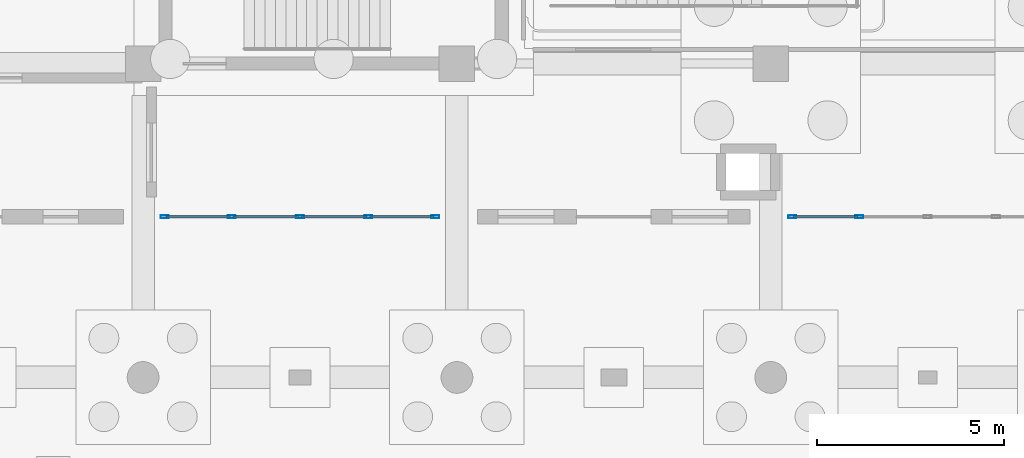
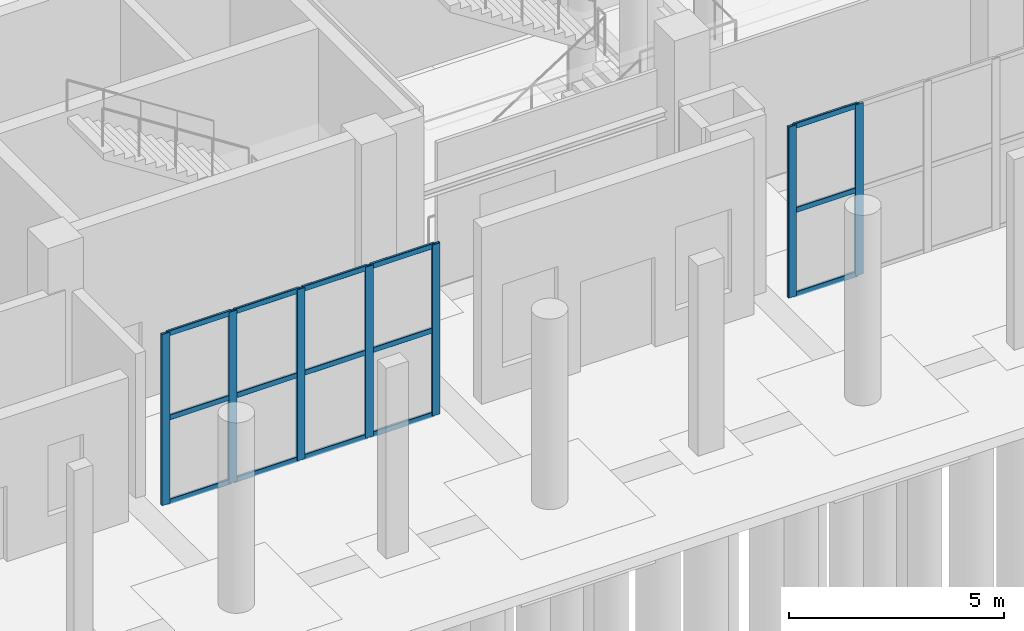
# One storey, part 10 of 65: 22 members, 2 elements without a shape of their own.
"""IFC4 building model written with IfcOpenShell, lengths in metres."""

from ifc_helpers import new_model, si_unit, direction, frame, origin, origin_2d, place, context, subcontext, project, spatial, hollow_rectangle, extrude, material, layer, layer_set, material_profile, profile_set, type_object, element, aggregate, save


model = new_model("IFC4")

# Units and contexts
model_context = context("Model", 3, precision=1e-05, world=origin(), true_north=direction((0.0, 1.0)))
body_context = subcontext(model_context, "Body", "Model", "MODEL_VIEW")
ifc_project = project(units=[si_unit("LENGTHUNIT", "METRE"), si_unit("AREAUNIT", "SQUARE_METRE"), si_unit("VOLUMEUNIT", "CUBIC_METRE"), si_unit("PLANEANGLEUNIT", "RADIAN"), si_unit("MASSUNIT", "GRAM", prefix="KILO")], contexts=[model_context])

# Site, building, storey
site_placement = place(None, origin())
site = spatial("IfcSite", under=ifc_project, at=site_placement, CompositionType="ELEMENT")
building_placement = place(site_placement, origin())
building = spatial("IfcBuilding", under=site, at=building_placement, Name="Zulmaris Art Gallery", CompositionType="ELEMENT")
storey_placement = place(building_placement, origin())
storey = spatial("IfcBuildingStorey", under=building, at=storey_placement, Name="L00", CompositionType="ELEMENT", Elevation=0.0)

# Curtain wall, members
ifc_material_1 = material(Name="Cloister & Court Glazed Curtain Wall", Category="aluminium")
ifc_layer = layer(ifc_material_1, 0.179931640625)
ifc_layer_set = layer_set([ifc_layer], Name="Cloister & Court Glazed Curtain Wall")
curtain_wall_type = type_object("IfcCurtainWallType", Name="CW-CW03", PredefinedType="NOTDEFINED", material=ifc_layer_set)
curtain_wall_1_placement = place(storey_placement, origin())
curtain_wall_1 = element("IfcCurtainWall", 1, at=curtain_wall_1_placement, inside=storey, type_object=curtain_wall_type, Name="L00 curtain wall 52", PredefinedType="NOTDEFINED")
ifc_material_2 = material(Name="Anodised Bronze Aluminium", Category="aluminium")
ifc_material_profile_1 = material_profile(ifc_material_2, hollow_rectangle(XDim=0.074951171875, YDim=0.219970703125, WallThickness=0.0048828125, InnerFilletRadius=0.007568359375, OuterFilletRadius=0.012451171875, at=origin_2d()), Name="ALU 75x220x5")
ifc_profile_set_1 = profile_set([ifc_material_profile_1], Name="Anodised Bronze Aluminium")
member_type_1 = type_object("IfcMemberType", Name="CWMUL-02", PredefinedType="MULLION", material=ifc_profile_set_1)
member_1_placement = place(storey_placement, frame((32.9775390625, 17.5, 0.0), z_axis=(0.0, 0.0, 1.0), x_axis=(0.0, 1.0, 0.0)))
member_1 = element("IfcMember", 2, at=member_1_placement, type_object=member_type_1, Name="CW03 mullion 1", PredefinedType="MULLION", context=body_context, shape_type="SweptSolid", body=[
    extrude(hollow_rectangle(XDim=0.074951171875, YDim=0.219970703125, WallThickness=0.0048828125, InnerFilletRadius=0.007568359375, OuterFilletRadius=0.012451171875, at=origin_2d()), origin(), (0.0, 0.0, 1.0), 4.85009765625),
])
member_2_placement = place(storey_placement, frame((34.77001953125, 17.5, 0.0), z_axis=(0.0, 0.0, 1.0), x_axis=(0.0, 1.0, 0.0)))
member_2 = element("IfcMember", 3, at=member_2_placement, type_object=member_type_1, Name="CW03 mullion 2", PredefinedType="MULLION", context=body_context, shape_type="SweptSolid", body=[
    extrude(hollow_rectangle(XDim=0.074951171875, YDim=0.219970703125, WallThickness=0.0048828125, InnerFilletRadius=0.007568359375, OuterFilletRadius=0.012451171875, at=origin_2d()), origin(), (0.0, 0.0, 1.0), 4.85009765625),
])
member_3_placement = place(storey_placement, frame((36.60009765625, 17.5, 0.0), z_axis=(0.0, 0.0, 1.0), x_axis=(0.0, 1.0, 0.0)))
member_3 = element("IfcMember", 4, at=member_3_placement, type_object=member_type_1, Name="CW03 mullion 3", PredefinedType="MULLION", context=body_context, shape_type="SweptSolid", body=[
    extrude(hollow_rectangle(XDim=0.074951171875, YDim=0.219970703125, WallThickness=0.0048828125, InnerFilletRadius=0.007568359375, OuterFilletRadius=0.012451171875, at=origin_2d()), origin(), (0.0, 0.0, 1.0), 4.85009765625),
])
member_4_placement = place(storey_placement, frame((38.429931640625, 17.5, 0.0), z_axis=(0.0, 0.0, 1.0), x_axis=(0.0, 1.0, 0.0)))
member_4 = element("IfcMember", 5, at=member_4_placement, type_object=member_type_1, Name="CW03 mullion 4", PredefinedType="MULLION", context=body_context, shape_type="SweptSolid", body=[
    extrude(hollow_rectangle(XDim=0.074951171875, YDim=0.219970703125, WallThickness=0.0048828125, InnerFilletRadius=0.007568359375, OuterFilletRadius=0.012451171875, at=origin_2d()), origin(), (0.0, 0.0, 1.0), 4.85009765625),
])
member_5_placement = place(storey_placement, frame((40.222412109375, 17.5, 0.0), z_axis=(0.0, 0.0, 1.0), x_axis=(0.0, 1.0, 0.0)))
member_5 = element("IfcMember", 6, at=member_5_placement, type_object=member_type_1, Name="CW03 mullion 5", PredefinedType="MULLION", context=body_context, shape_type="SweptSolid", body=[
    extrude(hollow_rectangle(XDim=0.074951171875, YDim=0.219970703125, WallThickness=0.0048828125, InnerFilletRadius=0.007568359375, OuterFilletRadius=0.012451171875, at=origin_2d()), origin(), (0.0, 0.0, 1.0), 4.85009765625),
])

curtain_wall_2_placement = place(storey_placement, origin())
curtain_wall_2 = element("IfcCurtainWall", 7, at=curtain_wall_2_placement, inside=storey, type_object=curtain_wall_type, Name="L00 curtain wall 53", PredefinedType="NOTDEFINED")
member_6_placement = place(storey_placement, frame((49.777587890625, 17.5, 0.0), z_axis=(0.0, 0.0, 1.0), x_axis=(0.0, 1.0, 0.0)))
member_6 = element("IfcMember", 8, at=member_6_placement, type_object=member_type_1, Name="CW03 mullion 1", PredefinedType="MULLION", context=body_context, shape_type="SweptSolid", body=[
    extrude(hollow_rectangle(XDim=0.074951171875, YDim=0.219970703125, WallThickness=0.0048828125, InnerFilletRadius=0.007568359375, OuterFilletRadius=0.012451171875, at=origin_2d()), origin(), (0.0, 0.0, 1.0), 4.85009765625),
])
member_7_placement = place(storey_placement, frame((51.570068359375, 17.5, 0.0), z_axis=(0.0, 0.0, 1.0), x_axis=(0.0, 1.0, 0.0)))
member_7 = element("IfcMember", 9, at=member_7_placement, type_object=member_type_1, Name="CW03 mullion 2", PredefinedType="MULLION", context=body_context, shape_type="SweptSolid", body=[
    extrude(hollow_rectangle(XDim=0.074951171875, YDim=0.219970703125, WallThickness=0.0048828125, InnerFilletRadius=0.007568359375, OuterFilletRadius=0.012451171875, at=origin_2d()), origin(), (0.0, 0.0, 1.0), 4.85009765625),
])

# Member
ifc_material_profile_2 = material_profile(ifc_material_2, hollow_rectangle(XDim=0.06494140625, YDim=0.14990234375, WallThickness=0.00390625, InnerFilletRadius=0.006103515625, OuterFilletRadius=0.010009765625, at=origin_2d()), Name="ALU 65x150x4")
ifc_profile_set_2 = profile_set([ifc_material_profile_2], Name="Anodised Bronze Aluminium")
member_type_2 = type_object("IfcMemberType", Name="CWTRN-01", PredefinedType="USERDEFINED", material=ifc_profile_set_2)
member_8_placement = place(storey_placement, frame((33.014892578125, 17.5, 0.03759765625), z_axis=(1.0, 0.0, 0.0), x_axis=(0.0, 1.0, 0.0)))
member_8 = element("IfcMember", 10, at=member_8_placement, type_object=member_type_2, Name="CW03 transom 1.1", ObjectType="TRANSOM", PredefinedType="USERDEFINED", context=body_context, shape_type="SweptSolid", body=[
    extrude(hollow_rectangle(XDim=0.06494140625, YDim=0.14990234375, WallThickness=0.00390625, InnerFilletRadius=0.006103515625, OuterFilletRadius=0.010009765625, at=origin_2d()), origin(), (0.0, 0.0, 1.0), 1.717529296875),
])

member_9_placement = place(storey_placement, frame((33.014892578125, 17.5, 2.425048828125), z_axis=(1.0, 0.0, 0.0), x_axis=(0.0, 1.0, 0.0)))
member_9 = element("IfcMember", 11, at=member_9_placement, type_object=member_type_2, Name="CW03 transom 1.2", ObjectType="TRANSOM", PredefinedType="USERDEFINED", context=body_context, shape_type="SweptSolid", body=[
    extrude(hollow_rectangle(XDim=0.06494140625, YDim=0.14990234375, WallThickness=0.00390625, InnerFilletRadius=0.006103515625, OuterFilletRadius=0.010009765625, at=origin_2d()), origin(), (0.0, 0.0, 1.0), 1.717529296875),
])

member_10_placement = place(storey_placement, frame((33.014892578125, 17.5, 4.8125), z_axis=(1.0, 0.0, 0.0), x_axis=(0.0, 1.0, 0.0)))
member_10 = element("IfcMember", 12, at=member_10_placement, type_object=member_type_2, Name="CW03 transom 1.3", ObjectType="TRANSOM", PredefinedType="USERDEFINED", context=body_context, shape_type="SweptSolid", body=[
    extrude(hollow_rectangle(XDim=0.06494140625, YDim=0.14990234375, WallThickness=0.00390625, InnerFilletRadius=0.006103515625, OuterFilletRadius=0.010009765625, at=origin_2d()), origin(), (0.0, 0.0, 1.0), 1.717529296875),
])

member_11_placement = place(storey_placement, frame((34.8076171875, 17.5, 0.03759765625), z_axis=(1.0, 0.0, 0.0), x_axis=(0.0, 1.0, 0.0)))
member_11 = element("IfcMember", 13, at=member_11_placement, type_object=member_type_2, Name="CW03 transom 2.1", ObjectType="TRANSOM", PredefinedType="USERDEFINED", context=body_context, shape_type="SweptSolid", body=[
    extrude(hollow_rectangle(XDim=0.06494140625, YDim=0.14990234375, WallThickness=0.00390625, InnerFilletRadius=0.006103515625, OuterFilletRadius=0.010009765625, at=origin_2d()), origin(), (0.0, 0.0, 1.0), 1.7548828125),
])

member_12_placement = place(storey_placement, frame((34.8076171875, 17.5, 2.425048828125), z_axis=(1.0, 0.0, 0.0), x_axis=(0.0, 1.0, 0.0)))
member_12 = element("IfcMember", 14, at=member_12_placement, type_object=member_type_2, Name="CW03 transom 2.2", ObjectType="TRANSOM", PredefinedType="USERDEFINED", context=body_context, shape_type="SweptSolid", body=[
    extrude(hollow_rectangle(XDim=0.06494140625, YDim=0.14990234375, WallThickness=0.00390625, InnerFilletRadius=0.006103515625, OuterFilletRadius=0.010009765625, at=origin_2d()), origin(), (0.0, 0.0, 1.0), 1.7548828125),
])

member_13_placement = place(storey_placement, frame((34.8076171875, 17.5, 4.8125), z_axis=(1.0, 0.0, 0.0), x_axis=(0.0, 1.0, 0.0)))
member_13 = element("IfcMember", 15, at=member_13_placement, type_object=member_type_2, Name="CW03 transom 2.3", ObjectType="TRANSOM", PredefinedType="USERDEFINED", context=body_context, shape_type="SweptSolid", body=[
    extrude(hollow_rectangle(XDim=0.06494140625, YDim=0.14990234375, WallThickness=0.00390625, InnerFilletRadius=0.006103515625, OuterFilletRadius=0.010009765625, at=origin_2d()), origin(), (0.0, 0.0, 1.0), 1.7548828125),
])

member_14_placement = place(storey_placement, frame((36.637451171875, 17.5, 0.03759765625), z_axis=(1.0, 0.0, 0.0), x_axis=(0.0, 1.0, 0.0)))
member_14 = element("IfcMember", 16, at=member_14_placement, type_object=member_type_2, Name="CW03 transom 3.1", ObjectType="TRANSOM", PredefinedType="USERDEFINED", context=body_context, shape_type="SweptSolid", body=[
    extrude(hollow_rectangle(XDim=0.06494140625, YDim=0.14990234375, WallThickness=0.00390625, InnerFilletRadius=0.006103515625, OuterFilletRadius=0.010009765625, at=origin_2d()), origin(), (0.0, 0.0, 1.0), 1.755126953125),
])

member_15_placement = place(storey_placement, frame((36.637451171875, 17.5, 2.425048828125), z_axis=(1.0, 0.0, 0.0), x_axis=(0.0, 1.0, 0.0)))
member_15 = element("IfcMember", 17, at=member_15_placement, type_object=member_type_2, Name="CW03 transom 3.2", ObjectType="TRANSOM", PredefinedType="USERDEFINED", context=body_context, shape_type="SweptSolid", body=[
    extrude(hollow_rectangle(XDim=0.06494140625, YDim=0.14990234375, WallThickness=0.00390625, InnerFilletRadius=0.006103515625, OuterFilletRadius=0.010009765625, at=origin_2d()), origin(), (0.0, 0.0, 1.0), 1.755126953125),
])

member_16_placement = place(storey_placement, frame((36.637451171875, 17.5, 4.8125), z_axis=(1.0, 0.0, 0.0), x_axis=(0.0, 1.0, 0.0)))
member_16 = element("IfcMember", 18, at=member_16_placement, type_object=member_type_2, Name="CW03 transom 3.3", ObjectType="TRANSOM", PredefinedType="USERDEFINED", context=body_context, shape_type="SweptSolid", body=[
    extrude(hollow_rectangle(XDim=0.06494140625, YDim=0.14990234375, WallThickness=0.00390625, InnerFilletRadius=0.006103515625, OuterFilletRadius=0.010009765625, at=origin_2d()), origin(), (0.0, 0.0, 1.0), 1.755126953125),
])

member_17_placement = place(storey_placement, frame((38.467529296875, 17.5, 0.03759765625), z_axis=(1.0, 0.0, 0.0), x_axis=(0.0, 1.0, 0.0)))
member_17 = element("IfcMember", 19, at=member_17_placement, type_object=member_type_2, Name="CW03 transom 4.1", ObjectType="TRANSOM", PredefinedType="USERDEFINED", context=body_context, shape_type="SweptSolid", body=[
    extrude(hollow_rectangle(XDim=0.06494140625, YDim=0.14990234375, WallThickness=0.00390625, InnerFilletRadius=0.006103515625, OuterFilletRadius=0.010009765625, at=origin_2d()), origin(), (0.0, 0.0, 1.0), 1.717529296875),
])

member_18_placement = place(storey_placement, frame((38.467529296875, 17.5, 2.425048828125), z_axis=(1.0, 0.0, 0.0), x_axis=(0.0, 1.0, 0.0)))
member_18 = element("IfcMember", 20, at=member_18_placement, type_object=member_type_2, Name="CW03 transom 4.2", ObjectType="TRANSOM", PredefinedType="USERDEFINED", context=body_context, shape_type="SweptSolid", body=[
    extrude(hollow_rectangle(XDim=0.06494140625, YDim=0.14990234375, WallThickness=0.00390625, InnerFilletRadius=0.006103515625, OuterFilletRadius=0.010009765625, at=origin_2d()), origin(), (0.0, 0.0, 1.0), 1.717529296875),
])

member_19_placement = place(storey_placement, frame((38.467529296875, 17.5, 4.8125), z_axis=(1.0, 0.0, 0.0), x_axis=(0.0, 1.0, 0.0)))
member_19 = element("IfcMember", 21, at=member_19_placement, type_object=member_type_2, Name="CW03 transom 4.3", ObjectType="TRANSOM", PredefinedType="USERDEFINED", context=body_context, shape_type="SweptSolid", body=[
    extrude(hollow_rectangle(XDim=0.06494140625, YDim=0.14990234375, WallThickness=0.00390625, InnerFilletRadius=0.006103515625, OuterFilletRadius=0.010009765625, at=origin_2d()), origin(), (0.0, 0.0, 1.0), 1.717529296875),
])

aggregate(curtain_wall_1, [member_1, member_2, member_3, member_4, member_5, member_8, member_9, member_10, member_11, member_12, member_13, member_14, member_15, member_16, member_17, member_18, member_19])

member_20_placement = place(storey_placement, frame((49.81494140625, 17.5, 0.03759765625), z_axis=(1.0, 0.0, 0.0), x_axis=(0.0, 1.0, 0.0)))
member_20 = element("IfcMember", 22, at=member_20_placement, type_object=member_type_2, Name="CW03 transom 1.1", ObjectType="TRANSOM", PredefinedType="USERDEFINED", context=body_context, shape_type="SweptSolid", body=[
    extrude(hollow_rectangle(XDim=0.06494140625, YDim=0.14990234375, WallThickness=0.00390625, InnerFilletRadius=0.006103515625, OuterFilletRadius=0.010009765625, at=origin_2d()), origin(), (0.0, 0.0, 1.0), 1.717529296875),
])

member_21_placement = place(storey_placement, frame((49.81494140625, 17.5, 2.425048828125), z_axis=(1.0, 0.0, 0.0), x_axis=(0.0, 1.0, 0.0)))
member_21 = element("IfcMember", 23, at=member_21_placement, type_object=member_type_2, Name="CW03 transom 1.2", ObjectType="TRANSOM", PredefinedType="USERDEFINED", context=body_context, shape_type="SweptSolid", body=[
    extrude(hollow_rectangle(XDim=0.06494140625, YDim=0.14990234375, WallThickness=0.00390625, InnerFilletRadius=0.006103515625, OuterFilletRadius=0.010009765625, at=origin_2d()), origin(), (0.0, 0.0, 1.0), 1.717529296875),
])

member_22_placement = place(storey_placement, frame((49.81494140625, 17.5, 4.8125), z_axis=(1.0, 0.0, 0.0), x_axis=(0.0, 1.0, 0.0)))
member_22 = element("IfcMember", 24, at=member_22_placement, type_object=member_type_2, Name="CW03 transom 1.3", ObjectType="TRANSOM", PredefinedType="USERDEFINED", context=body_context, shape_type="SweptSolid", body=[
    extrude(hollow_rectangle(XDim=0.06494140625, YDim=0.14990234375, WallThickness=0.00390625, InnerFilletRadius=0.006103515625, OuterFilletRadius=0.010009765625, at=origin_2d()), origin(), (0.0, 0.0, 1.0), 1.717529296875),
])

aggregate(curtain_wall_2, [member_6, member_7, member_20, member_21, member_22])

save(model, "model.ifc")
